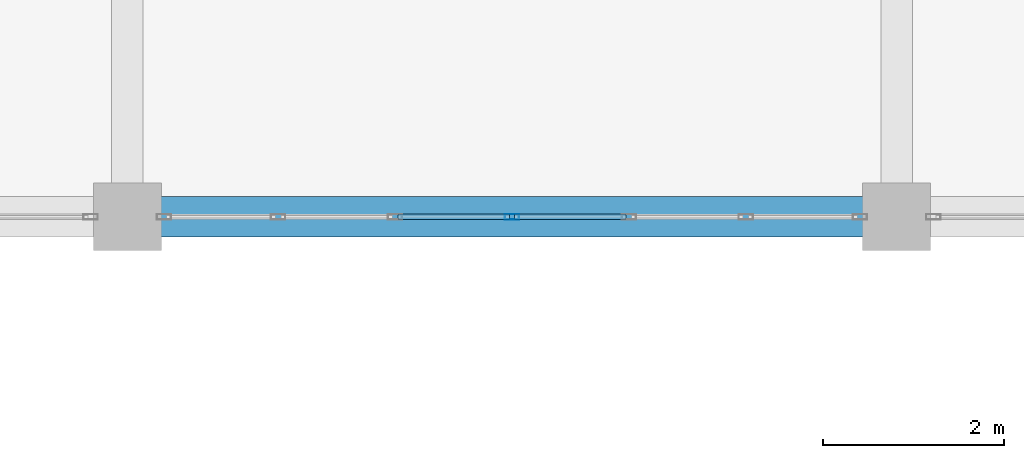
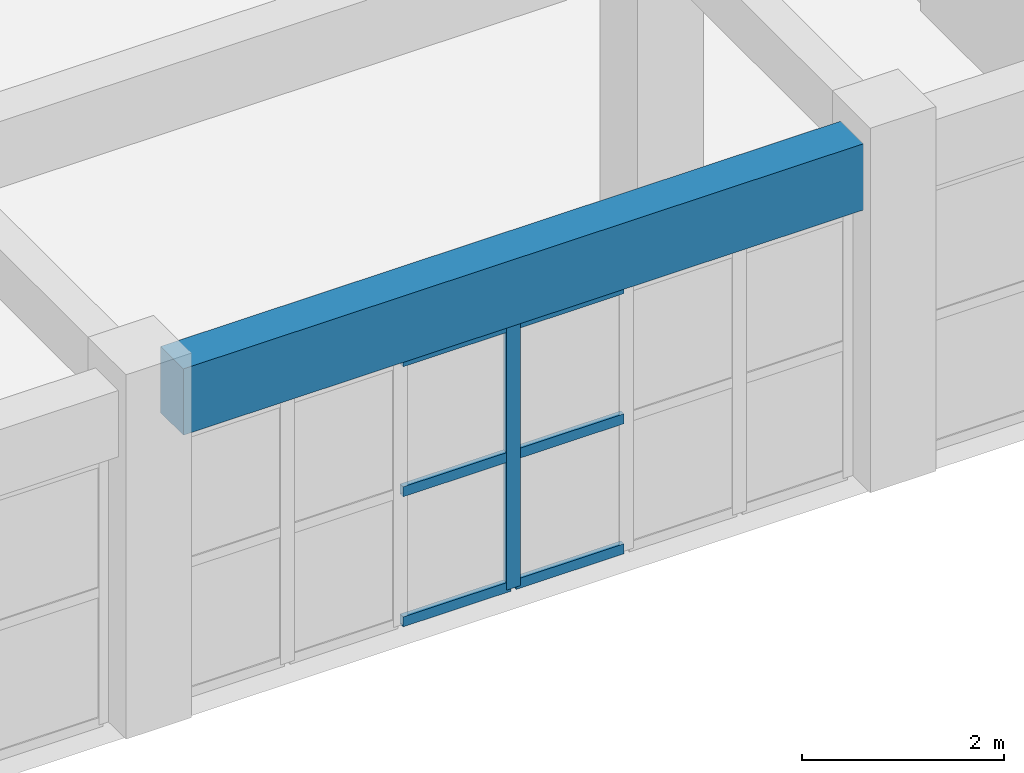
# One storey, part 25 of 116: 7 members, 1 beam, 1 element without a shape of its own.
"""IFC4 building model written with IfcOpenShell, lengths in metres."""

from ifc_helpers import new_model, si_unit, direction, frame, origin, origin_2d, place, context, subcontext, project, spatial, rectangle, hollow_rectangle, extrude, material, layer, layer_set, material_profile, profile_set, type_object, element, aggregate, save


model = new_model("IFC4")

# Units and contexts
model_context = context("Model", 3, precision=1e-05, world=origin(), true_north=direction((0.0, 1.0)))
body_context = subcontext(model_context, "Body", "Model", "MODEL_VIEW")
ifc_project = project(units=[si_unit("LENGTHUNIT", "METRE"), si_unit("AREAUNIT", "SQUARE_METRE"), si_unit("VOLUMEUNIT", "CUBIC_METRE"), si_unit("PLANEANGLEUNIT", "RADIAN"), si_unit("MASSUNIT", "GRAM", prefix="KILO")], contexts=[model_context])

# Site, building, storey
site_placement = place(None, origin())
site = spatial("IfcSite", under=ifc_project, at=site_placement, CompositionType="ELEMENT")
building_placement = place(site_placement, origin())
building = spatial("IfcBuilding", under=site, at=building_placement, Name="Muzn Square Opera House", CompositionType="ELEMENT")
storey_placement = place(building_placement, frame((0.0, 0.0, 5.39990234375)))
storey = spatial("IfcBuildingStorey", under=building, at=storey_placement, Name="L01", CompositionType="ELEMENT", Elevation=5.39990234375)

# Curtain wall, members
ifc_material_1 = material(Name="Low-E laminated acoustic double glazing", Category="glass")
ifc_layer = layer(ifc_material_1, 0.159912109375, Name="Low-E laminated acoustic double glazing", Category="glass")
ifc_layer_set = layer_set([ifc_layer], Name="Low-E laminated acoustic double glazing")
curtain_wall_type = type_object("IfcCurtainWallType", Name="Glazed Curtain Wall WestCloisterN 7750x3200", PredefinedType="USERDEFINED", material=ifc_layer_set)
curtain_wall_placement = place(storey_placement, origin())
curtain_wall = element("IfcCurtainWall", 1, at=curtain_wall_placement, inside=storey, type_object=curtain_wall_type, Name="Glazed Curtain Wall CW-L01-084", ObjectType="GLAZED CURTAIN WALL", PredefinedType="USERDEFINED")
ifc_material_2 = material(Name="Anodised bronze aluminium 6063-T6", Category="metal")
ifc_material_profile_1 = material_profile(ifc_material_2, hollow_rectangle(XDim=0.06005859375, YDim=0.159912109375, WallThickness=0.00390625, at=origin_2d()), Name="ALU 160x60x4", Category="metal")
ifc_profile_set_1 = profile_set([ifc_material_profile_1], Name="Anodised bronze aluminium 6063-T6")
member_type_1 = type_object("IfcMemberType", Name="Curtain Wall Mullion 160x60", PredefinedType="MULLION", material=ifc_profile_set_1)
member_1_placement = place(storey_placement, frame((30.75, 54.199951171875, 0.0), z_axis=(0.0, 0.0, 1.0), x_axis=(0.0, 1.0, 0.0)))
member_1 = element("IfcMember", 2, at=member_1_placement, type_object=member_type_1, Name="CW-WCN-77x32 mullion 4", PredefinedType="MULLION", context=body_context, shape_type="SweptSolid", body=[
    extrude(hollow_rectangle(XDim=0.06005859375, YDim=0.159912109375, WallThickness=0.00390625, at=origin_2d()), origin(), (0.0, 0.0, 1.0), 3.2001953125),
])
ifc_material_profile_2 = material_profile(ifc_material_2, hollow_rectangle(XDim=0.06005859375, YDim=0.1201171875, WallThickness=0.00390625, at=origin_2d()), Name="ALU 120x60x4", Category="metal")
ifc_profile_set_2 = profile_set([ifc_material_profile_2], Name="Anodised bronze aluminium 6063-T6")
member_type_2 = type_object("IfcMemberType", Name="Curtain Wall Transom 120x60", PredefinedType="USERDEFINED", material=ifc_profile_set_2)
member_2_placement = place(storey_placement, frame((29.48828125, 54.199951171875, 0.030029296875), z_axis=(1.0, 0.0, 0.0), x_axis=(0.0, 1.0, 0.0)))
member_2 = element("IfcMember", 3, at=member_2_placement, type_object=member_type_2, Name="CW-WCN-77x32 transom 3.1", ObjectType="TRANSOM", PredefinedType="USERDEFINED", context=body_context, shape_type="SweptSolid", body=[
    extrude(hollow_rectangle(XDim=0.06005859375, YDim=0.1201171875, WallThickness=0.00390625, at=origin_2d()), origin(), (0.0, 0.0, 1.0), 1.231689453125),
])
member_3_placement = place(storey_placement, frame((29.48828125, 54.199951171875, 1.60009765625), z_axis=(1.0, 0.0, 0.0), x_axis=(0.0, 1.0, 0.0)))
member_3 = element("IfcMember", 4, at=member_3_placement, type_object=member_type_2, Name="CW-WCN-77x32 transom 3.2", ObjectType="TRANSOM", PredefinedType="USERDEFINED", context=body_context, shape_type="SweptSolid", body=[
    extrude(hollow_rectangle(XDim=0.06005859375, YDim=0.1201171875, WallThickness=0.00390625, at=origin_2d()), origin(), (0.0, 0.0, 1.0), 1.231689453125),
])
member_4_placement = place(storey_placement, frame((29.48828125, 54.199951171875, 3.170166015625), z_axis=(1.0, 0.0, 0.0), x_axis=(0.0, 1.0, 0.0)))
member_4 = element("IfcMember", 5, at=member_4_placement, type_object=member_type_2, Name="CW-WCN-77x32 transom 3.3", ObjectType="TRANSOM", PredefinedType="USERDEFINED", context=body_context, shape_type="SweptSolid", body=[
    extrude(hollow_rectangle(XDim=0.06005859375, YDim=0.1201171875, WallThickness=0.00390625, at=origin_2d()), origin(), (0.0, 0.0, 1.0), 1.231689453125),
])
member_5_placement = place(storey_placement, frame((30.780029296875, 54.199951171875, 0.030029296875), z_axis=(1.0, 0.0, 0.0), x_axis=(0.0, 1.0, 0.0)))
member_5 = element("IfcMember", 6, at=member_5_placement, type_object=member_type_2, Name="CW-WCN-77x32 transom 4.1", ObjectType="TRANSOM", PredefinedType="USERDEFINED", context=body_context, shape_type="SweptSolid", body=[
    extrude(hollow_rectangle(XDim=0.06005859375, YDim=0.1201171875, WallThickness=0.00390625, at=origin_2d()), origin(), (0.0, 0.0, 1.0), 1.231689453125),
])
member_6_placement = place(storey_placement, frame((30.780029296875, 54.199951171875, 1.60009765625), z_axis=(1.0, 0.0, 0.0), x_axis=(0.0, 1.0, 0.0)))
member_6 = element("IfcMember", 7, at=member_6_placement, type_object=member_type_2, Name="CW-WCN-77x32 transom 4.2", ObjectType="TRANSOM", PredefinedType="USERDEFINED", context=body_context, shape_type="SweptSolid", body=[
    extrude(hollow_rectangle(XDim=0.06005859375, YDim=0.1201171875, WallThickness=0.00390625, at=origin_2d()), origin(), (0.0, 0.0, 1.0), 1.231689453125),
])
member_7_placement = place(storey_placement, frame((30.780029296875, 54.199951171875, 3.170166015625), z_axis=(1.0, 0.0, 0.0), x_axis=(0.0, 1.0, 0.0)))
member_7 = element("IfcMember", 8, at=member_7_placement, type_object=member_type_2, Name="CW-WCN-77x32 transom 4.3", ObjectType="TRANSOM", PredefinedType="USERDEFINED", context=body_context, shape_type="SweptSolid", body=[
    extrude(hollow_rectangle(XDim=0.06005859375, YDim=0.1201171875, WallThickness=0.00390625, at=origin_2d()), origin(), (0.0, 0.0, 1.0), 1.231689453125),
])
aggregate(curtain_wall, [member_1, member_2, member_3, member_4, member_5, member_6, member_7])

# Beam
ifc_material_3 = material(Name="Concrete C40/50", Category="concrete")
ifc_material_profile_3 = material_profile(ifc_material_3, rectangle(XDim=0.449951171875, YDim=0.800048828125, at=origin_2d()), Name="RCB 450x800", Category="concrete")
ifc_profile_set_3 = profile_set([ifc_material_profile_3], Name="Concrete C40/50")
beam_type = type_object("IfcBeamType", Name="Primary Girder 450x800", PredefinedType="BEAM", material=ifc_profile_set_3)
beam_placement = place(storey_placement, frame((26.866943359375, 54.199951171875, 3.72021484375), z_axis=(1.0, 0.0, 0.0), x_axis=(0.0, 1.0, 0.0)))
element("IfcBeam", 9, at=beam_placement, inside=storey, type_object=beam_type, Name="Primary Girder BM-L01-BM-PG800-269_542_346_542-1372", PredefinedType="BEAM", context=body_context, shape_type="SweptSolid", body=[
    extrude(rectangle(XDim=0.449951171875, YDim=0.800048828125, at=origin_2d()), origin(), (0.0, 0.0, 1.0), 7.76611328125),
])

save(model, "model.ifc")
